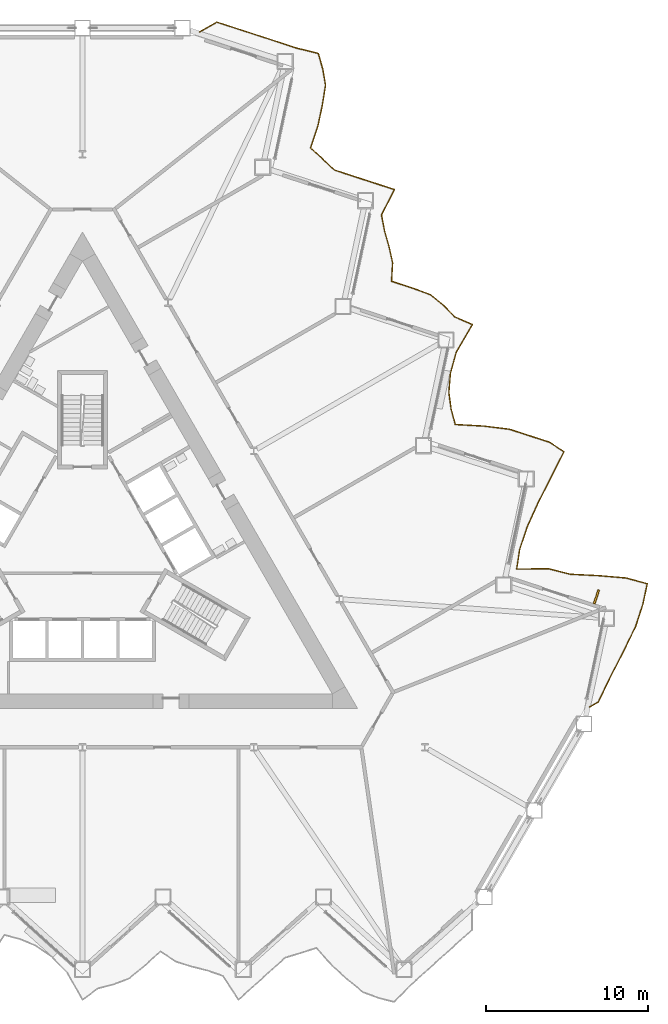
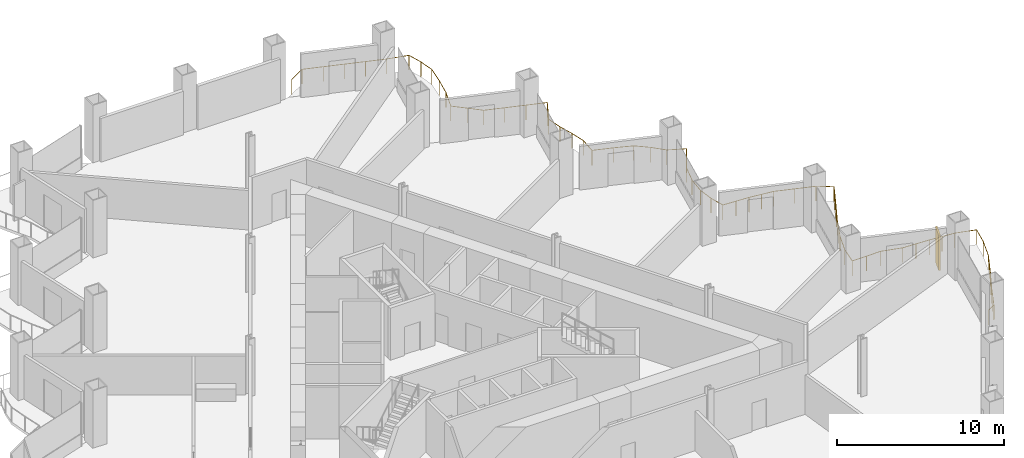
# One storey, part 18 of 20: 1 railing, 1 shading device.
"""IFC4 building model written with IfcOpenShell, lengths in metres."""

import ifcopenshell
import ifcopenshell.guid

model = None  # the IFC model being written
_history = None  # IfcOwnerHistory: only IFC2X3 demands one
_inside = {}  # id of a spatial element -> (the spatial element, [elements in it])
_under = {}  # id of a project, library or spatial element -> (it, [spatial elements below it])
_declared = {}  # id of a project -> (the project, [libraries it declares])
_typed = {}  # id of a type object -> (the type object, [elements of that type])
_made_of = {}  # id of a material, layer set ... -> (it, [elements and type objects made of it])


def new_model(schema):
    """Start an empty IFC model of exactly this schema.

    Asked for "IFC4X3", IfcOpenShell would pick the latest addendum, in which some entities
    have other attributes; the version numbers below select the first issue.
    IFC2X3 requires an IfcOwnerHistory on every rooted entity: one is made here for all.
    """
    global model, _history
    if schema == "IFC4X3":
        model = ifcopenshell.file(schema_version=(4, 3, 0, 0))
    else:
        model = ifcopenshell.file(schema=schema)
    _inside.clear()
    _under.clear()
    _declared.clear()
    _typed.clear()
    _made_of.clear()
    _history = None
    if model.schema == "IFC2X3":
        org = make("IfcOrganization", Name="unknown")
        user = make(
            "IfcPersonAndOrganization",
            ThePerson=make("IfcPerson", FamilyName="unknown"),
            TheOrganization=org,
        )
        app = make(
            "IfcApplication",
            ApplicationDeveloper=org,
            Version="unknown",
            ApplicationFullName="unknown",
            ApplicationIdentifier="unknown",
        )
        _history = make(
            "IfcOwnerHistory",
            OwningUser=user,
            OwningApplication=app,
            ChangeAction="ADDED",
            CreationDate=0,
        )
    return model


def make(cls, **values):
    """One entity of the class cls with the attributes given. An attribute that is None is left unset."""
    return model.create_entity(
        cls, **{name: value for name, value in values.items() if value is not None}
    )


def rooted(cls, **values):
    """An entity with a GlobalId (a new one), such as an element, a storey or a relation."""
    return make(cls, GlobalId=ifcopenshell.guid.new(), OwnerHistory=_history, **values)


def si_unit(unit_type, name, prefix=None):
    """IfcSIUnit, for example si_unit("LENGTHUNIT", "METRE", prefix="MILLI")."""
    return make("IfcSIUnit", UnitType=unit_type, Prefix=prefix, Name=name)


def assignment(units):
    """IfcUnitAssignment: the units of a project."""
    return None if units is None else make("IfcUnitAssignment", Units=units)


def point(xyz):
    """IfcCartesianPoint."""
    return None if xyz is None else make("IfcCartesianPoint", Coordinates=xyz)


def direction(xyz):
    """IfcDirection."""
    return None if xyz is None else make("IfcDirection", DirectionRatios=xyz)


def frame(location, z_axis=None, x_axis=None):
    """IfcAxis2Placement3D, a coordinate frame: its origin and axes. An axis left out is left unset."""
    return make(
        "IfcAxis2Placement3D",
        Location=point(location),
        Axis=direction(z_axis),
        RefDirection=direction(x_axis),
    )


def frame_2d(location, x_axis=None):
    """IfcAxis2Placement2D, a coordinate frame in the plane: its origin and x axis."""
    return make(
        "IfcAxis2Placement2D", Location=point(location), RefDirection=direction(x_axis)
    )


def origin():
    """The frame at (0, 0, 0) with its axes left unset."""
    return frame((0.0, 0.0, 0.0))


def origin_2d():
    """The frame at (0, 0) in the plane with its x axis left unset."""
    return frame_2d((0.0, 0.0))


def place(relative_to, where):
    """IfcLocalPlacement: puts the frame where relative to a parent placement (None: the world)."""
    return make(
        "IfcLocalPlacement", PlacementRelTo=relative_to, RelativePlacement=where
    )


def context(
    kind, dimensions, precision=None, world=None, true_north=None, identifier=None
):
    """IfcGeometricRepresentationContext, for example the 3D "Model" context."""
    return make(
        "IfcGeometricRepresentationContext",
        ContextIdentifier=identifier,
        ContextType=kind,
        CoordinateSpaceDimension=dimensions,
        Precision=precision,
        WorldCoordinateSystem=world,
        TrueNorth=true_north,
    )


def subcontext(parent, identifier, kind, view, scale=None):
    """IfcGeometricRepresentationSubContext, for example "Body" below "Model"."""
    return make(
        "IfcGeometricRepresentationSubContext",
        ContextIdentifier=identifier,
        ContextType=kind,
        ParentContext=parent,
        TargetScale=scale,
        TargetView=view,
    )


def project(units=None, contexts=None):
    """IfcProject with its units and contexts."""
    return rooted(
        "IfcProject",
        Name="project",
        RepresentationContexts=contexts,
        UnitsInContext=assignment(units),
    )


def spatial(cls, under=None, at=None, **own):
    """A site, building, storey or space (cls), placed at a placement, below another one or the project."""
    s = rooted(cls, ObjectPlacement=at, **own)
    if under is not None:
        _under.setdefault(under.id(), (under, []))[1].append(s)
    return s


def profile(cls, at=None, kind="AREA", **sizes):
    """A parametric profile (cls). Its sizes go by their IFC names, for example OverallWidth=200.0."""
    return make(cls, ProfileType=kind, Position=at, **sizes)


def rectangle(**sizes):
    """IfcRectangleProfileDef."""
    return profile("IfcRectangleProfileDef", **sizes)


def circle(**sizes):
    """IfcCircleProfileDef."""
    return profile("IfcCircleProfileDef", **sizes)


def extrude(swept, where, along, depth):
    """IfcExtrudedAreaSolid: the profile swept, set in the frame where, extruded along a direction by depth."""
    return make(
        "IfcExtrudedAreaSolid",
        SweptArea=swept,
        Position=where,
        ExtrudedDirection=direction(along),
        Depth=depth,
    )


def shape(context_of_items, identifier, shape_type, items):
    """IfcShapeRepresentation: the items that make up one representation, for example the "Body"."""
    return make(
        "IfcShapeRepresentation",
        ContextOfItems=context_of_items,
        RepresentationIdentifier=identifier,
        RepresentationType=shape_type,
        Items=items,
    )


def material(Name=None, Category=None):
    """IfcMaterial."""
    return make("IfcMaterial", Name=Name, Category=Category)


def layer(
    of_material, thickness, ventilated=None, Name=None, Category=None, Priority=None
):
    """IfcMaterialLayer: one layer of a wall or slab, of a material (None: an air gap)."""
    return make(
        "IfcMaterialLayer",
        Material=of_material,
        LayerThickness=thickness,
        IsVentilated=ventilated,
        Name=Name,
        Category=Category,
        Priority=Priority,
    )


def layer_set(layers, Name=None):
    """IfcMaterialLayerSet."""
    return make("IfcMaterialLayerSet", MaterialLayers=layers, LayerSetName=Name)


def made_of(thing, what):
    """Note that an element or type object is made of a material, layer set ...; save() writes the relation."""
    if what is not None:
        _made_of.setdefault(what.id(), (what, []))[1].append(thing)
    return thing


def type_object(cls, material=None, **own):
    """A type object (cls), such as IfcWallType, which elements share."""
    return made_of(rooted(cls, **own), material)


def element(
    cls,
    number,
    at=None,
    inside=None,
    cuts=None,
    type_object=None,
    material=None,
    context=None,
    identifier="Body",
    shape_type=None,
    held_by="IfcProductDefinitionShape",
    body=None,
    shapes=None,
    **own,
):
    """One element of the class cls, such as IfcWall. Its Tag is "e" and its number.

    at: its placement. inside: the storey or other place that contains it. cuts: it is an
    opening in that element (IfcRelVoidsElement). A single representation is given by context,
    identifier, shape_type and body (its items); several are given by shapes. held_by: the class
    of the entity that holds the representations. save() writes the other relations.
    """
    e = rooted(cls, Tag="e%d" % number, ObjectPlacement=at, **own)
    if body is not None:
        shapes = [shape(context, identifier, shape_type, body)]
    if shapes is not None:
        e.Representation = make(held_by, Representations=shapes)
    if inside is not None:
        _inside.setdefault(inside.id(), (inside, []))[1].append(e)
    if cuts is not None:
        rooted(
            "IfcRelVoidsElement", RelatingBuildingElement=cuts, RelatedOpeningElement=e
        )
    if type_object is not None:
        _typed.setdefault(type_object.id(), (type_object, []))[1].append(e)
    return made_of(e, material)


def aggregate(whole, parts):
    """IfcRelAggregates: a whole, such as a stair, and the parts it consists of."""
    return rooted("IfcRelAggregates", RelatingObject=whole, RelatedObjects=parts)


def save(model, path):
    """Write the relations noted so far, then the file.

    IfcRelAggregates (storeys below a building ...), IfcRelContainedInSpatialStructure (elements
    in a storey), IfcRelDefinesByType, IfcRelAssociatesMaterial and IfcRelDeclares: one each for
    every whole, place, type object, material and project.
    """
    for whole, parts in _under.values():
        aggregate(whole, parts)
    for where, things in _inside.values():
        rooted(
            "IfcRelContainedInSpatialStructure",
            RelatedElements=things,
            RelatingStructure=where,
        )
    for kind, things in _typed.values():
        rooted("IfcRelDefinesByType", RelatedObjects=things, RelatingType=kind)
    for what, things in _made_of.values():
        rooted("IfcRelAssociatesMaterial", RelatedObjects=things, RelatingMaterial=what)
    for by, libraries in _declared.values():
        rooted("IfcRelDeclares", RelatingContext=by, RelatedDefinitions=libraries)
    model.write(path)


model = new_model("IFC4")

# Units and contexts
model_context = context("Model", 3, precision=1e-05, world=origin(), true_north=direction((0.0, 1.0)))
body_context = subcontext(model_context, "Body", "Model", "MODEL_VIEW")
ifc_project = project(units=[si_unit("LENGTHUNIT", "METRE"), si_unit("AREAUNIT", "SQUARE_METRE"), si_unit("VOLUMEUNIT", "CUBIC_METRE"), si_unit("PLANEANGLEUNIT", "RADIAN"), si_unit("MASSUNIT", "GRAM", prefix="KILO")], contexts=[model_context])

# Site, building, storey
site_placement = place(None, origin())
site = spatial("IfcSite", under=ifc_project, at=site_placement, CompositionType="ELEMENT")
building_placement = place(site_placement, origin())
building = spatial("IfcBuilding", under=site, at=building_placement, Name="Cormorant Prow Tower", CompositionType="ELEMENT")
storey_placement = place(building_placement, frame((0.0, 0.0, 34.199951171875)))
storey = spatial("IfcBuildingStorey", under=building, at=storey_placement, Name="L06", CompositionType="ELEMENT", Elevation=34.199951171875)

# Railing
ifc_material_1 = material(Name="Aluminium 6063-T6", Category="aluminium")
railing_type = type_object("IfcRailingType", Name="Balcony guard 1100", PredefinedType="GUARDRAIL", material=ifc_material_1)
railing_placement = place(storey_placement, frame((31.3291015625, -9.726318359375, 0.0)))
element("IfcRailing", 1, at=railing_placement, inside=storey, type_object=railing_type, Name="Balcony guard ENE", PredefinedType="GUARDRAIL", context=body_context, shape_type="SweptSolid", body=[
    extrude(circle(Radius=0.02392578125, at=origin_2d()), frame((0.0, 0.0, 1.076171875), z_axis=(0.865942655036, 0.500143297656, 0.0), x_axis=(-0.500143297656, 0.865942655036, 0.0)), (0.0, 0.0, 1.0), 0.635986328125),
    extrude(circle(Radius=0.02392578125, at=origin_2d()), frame((0.55078125, 0.318115234375, 1.076171875), z_axis=(0.433209595953, 0.901293207549, 0.0), x_axis=(-0.901293207549, 0.433209595953, 0.0)), (0.0, 0.0, 1.0), 1.708251953125),
    extrude(circle(Radius=0.02392578125, at=origin_2d()), frame((1.290771484375, 1.857666015625, 1.076171875), z_axis=(0.457496743502, 0.889211296422, 0.0), x_axis=(-0.889211296422, 0.457496743502, 0.0)), (0.0, 0.0, 1.0), 1.7802734375),
    extrude(circle(Radius=0.02392578125, at=origin_2d()), frame((2.105224609375, 3.440673828125, 1.076171875), z_axis=(0.437074654476, 0.899425231142, 0.0), x_axis=(-0.899425231142, 0.437074654476, 0.0)), (0.0, 0.0, 1.0), 1.71923828125),
    extrude(circle(Radius=0.02392578125, at=origin_2d()), frame((2.856689453125, 4.987060546875, 1.076171875), z_axis=(0.310176960203, 0.950678838178, 0.0), x_axis=(-0.950678838178, 0.310176960203, 0.0)), (0.0, 0.0, 1.0), 1.44189453125),
    extrude(circle(Radius=0.02392578125, at=origin_2d()), frame((3.303955078125, 6.35791015625, 1.076171875), z_axis=(0.207908306761, 0.978148320031, 0.0), x_axis=(-0.978148320031, 0.207908306761, 0.0)), (0.0, 0.0, 1.0), 1.29638671875),
    extrude(circle(Radius=0.02392578125, at=origin_2d()), frame((3.573486328125, 7.6259765625, 1.076171875), z_axis=(-0.965501304987, 0.260398214412, 0.0), x_axis=(-0.260398214412, -0.965501304987, 0.0)), (0.0, 0.0, 1.0), 1.3603515625),
    extrude(circle(Radius=0.02392578125, at=origin_2d()), frame((2.260009765625, 7.980224609375, 1.076171875), z_axis=(-0.996333593966, 0.085553313992, 0.0), x_axis=(-0.085553313992, -0.996333593966, 0.0)), (0.0, 0.0, 1.0), 1.68359375),
    extrude(circle(Radius=0.02392578125, at=origin_2d()), frame((0.58251953125, 8.124267578125, 1.076171875), z_axis=(-0.998783316969, 0.049314153595, 0.0), x_axis=(-0.049314153595, -0.998783316969, 0.0)), (0.0, 0.0, 1.0), 1.77734375),
    extrude(circle(Radius=0.02392578125, at=origin_2d()), frame((-1.192626953125, 8.2119140625, 1.076171875), z_axis=(-0.968762138829, 0.247991770774, 0.0), x_axis=(-0.247991770774, -0.968762138829, 0.0)), (0.0, 0.0, 1.0), 1.378173828125),
    extrude(circle(Radius=0.02392578125, at=origin_2d()), frame((-2.52783203125, 8.5537109375, 1.076171875), z_axis=(-0.999927590389, -0.012033868023, 0.0), x_axis=(0.012033868023, -0.999927590389, 0.0)), (0.0, 0.0, 1.0), 1.968017578125),
    extrude(circle(Radius=0.02392578125, at=origin_2d()), frame((-4.49560546875, 8.530029296875, 1.076171875), z_axis=(0.151433219563, 0.98846749062, 0.0), x_axis=(-0.98846749062, 0.151433219563, 0.0)), (0.0, 0.0, 1.0), 1.23486328125),
    extrude(circle(Radius=0.02392578125, at=origin_2d()), frame((-4.30859375, 9.750732421875, 1.076171875), z_axis=(0.316832472122, 0.948481515165, 0.0), x_axis=(-0.948481515165, 0.316832472122, 0.0)), (0.0, 0.0, 1.0), 1.453369140625),
    extrude(circle(Radius=0.02392578125, at=origin_2d()), frame((-3.84814453125, 11.129150390625, 1.076171875), z_axis=(0.413591935436, 0.910462361079, 0.0), x_axis=(-0.910462361079, 0.413591935436, 0.0)), (0.0, 0.0, 1.0), 1.65625),
    extrude(circle(Radius=0.02392578125, at=origin_2d()), frame((-3.1630859375, 12.63720703125, 1.076171875), z_axis=(0.454425676399, 0.89078465671, 0.0), x_axis=(-0.89078465671, 0.454425676399, 0.0)), (0.0, 0.0, 1.0), 1.770263671875),
    extrude(circle(Radius=0.02392578125, at=origin_2d()), frame((-2.358642578125, 14.214111328125, 1.076171875), z_axis=(0.449160567011, 0.893451053524, 0.0), x_axis=(-0.893451053524, 0.449160567011, 0.0)), (0.0, 0.0, 1.0), 1.754638671875),
    extrude(circle(Radius=0.02392578125, at=origin_2d()), frame((-1.570556640625, 15.78173828125, 1.076171875), z_axis=(-0.838490048376, 0.544916909973, 0.0), x_axis=(-0.544916909973, -0.838490048376, 0.0)), (0.0, 0.0, 1.0), 1.0810546875),
    extrude(circle(Radius=0.02392578125, at=origin_2d()), frame((-2.47705078125, 16.370849609375, 1.076171875), z_axis=(-0.951065889289, 0.308988145778, 0.0), x_axis=(-0.308988145778, -0.951065889289, 0.0)), (0.0, 0.0, 1.0), 1.296630859375),
    extrude(circle(Radius=0.02392578125, at=origin_2d()), frame((-3.710205078125, 16.771484375, 1.076171875), z_axis=(-0.951065889289, 0.308988145778, 0.0), x_axis=(-0.308988145778, -0.951065889289, 0.0)), (0.0, 0.0, 1.0), 1.296630859375),
    extrude(circle(Radius=0.02392578125, at=origin_2d()), frame((-4.943359375, 17.172119140625, 1.076171875), z_axis=(-0.992549927024, 0.121838591441, 0.0), x_axis=(-0.121838591441, -0.992549927024, 0.0)), (0.0, 0.0, 1.0), 1.60107421875),
    extrude(circle(Radius=0.02392578125, at=origin_2d()), frame((-6.532470703125, 17.3671875, 1.076171875), z_axis=(-0.998435492424, 0.055915717544, 0.0), x_axis=(-0.055915717544, -0.998435492424, 0.0)), (0.0, 0.0, 1.0), 1.759521484375),
    extrude(circle(Radius=0.02392578125, at=origin_2d()), frame((-8.289306640625, 17.465576171875, 1.076171875), z_axis=(-0.262433124838, 0.964950182646, 0.0), x_axis=(-0.964950182646, -0.262433124838, 0.0)), (0.0, 0.0, 1.0), 0.996337890625),
    extrude(circle(Radius=0.02392578125, at=origin_2d()), frame((-8.55078125, 18.427001953125, 1.076171875), z_axis=(-0.128899126816, 0.991657710657, 0.0), x_axis=(-0.991657710657, -0.128899126816, 0.0)), (0.0, 0.0, 1.0), 1.043701171875),
    extrude(circle(Radius=0.02392578125, at=origin_2d()), frame((-8.685302734375, 19.4619140625, 1.076171875), z_axis=(0.081476069747, 0.996675298208, 0.0), x_axis=(-0.996675298208, 0.081476069747, 0.0)), (0.0, 0.0, 1.0), 1.171630859375),
    extrude(circle(Radius=0.02392578125, at=origin_2d()), frame((-8.58984375, 20.629638671875, 1.076171875), z_axis=(0.268247725454, 0.963349966413, 0.0), x_axis=(-0.963349966413, 0.268247725454, 0.0)), (0.0, 0.0, 1.0), 1.376220703125),
    extrude(circle(Radius=0.02392578125, at=origin_2d()), frame((-8.220703125, 21.955322265625, 1.076171875), z_axis=(0.506774332151, 0.862078752941, 0.0), x_axis=(-0.862078752941, 0.506774332151, 0.0)), (0.0, 0.0, 1.0), 1.95361328125),
    extrude(circle(Radius=0.02392578125, at=origin_2d()), frame((-7.230712890625, 23.639404296875, 1.076171875), z_axis=(-0.916143288756, 0.400850937966, 0.0), x_axis=(-0.400850937966, -0.916143288756, 0.0)), (0.0, 0.0, 1.0), 1.19677734375),
    extrude(circle(Radius=0.02392578125, at=origin_2d()), frame((-8.3271484375, 24.119140625, 1.076171875), z_axis=(-0.697460687647, 0.716623045392, 0.0), x_axis=(-0.716623045392, -0.697460687647, 0.0)), (0.0, 0.0, 1.0), 0.99365234375),
    extrude(circle(Radius=0.02392578125, at=origin_2d()), frame((-9.020263671875, 24.831298828125, 1.076171875), z_axis=(-0.775106115273, 0.631831077161, 0.0), x_axis=(-0.631831077161, -0.775106115273, 0.0)), (0.0, 0.0, 1.0), 1.031005859375),
    extrude(circle(Radius=0.02392578125, at=origin_2d()), frame((-9.8193359375, 25.482666015625, 1.076171875), z_axis=(-0.937866283628, 0.346996878998, 0.0), x_axis=(-0.346996878998, -0.937866283628, 0.0)), (0.0, 0.0, 1.0), 1.25244140625),
    extrude(circle(Radius=0.02392578125, at=origin_2d()), frame((-10.993896484375, 25.917236328125, 1.076171875), z_axis=(-0.95112121044, 0.308817815308, 0.0), x_axis=(-0.308817815308, -0.95112121044, 0.0)), (0.0, 0.0, 1.0), 1.296630859375),
    extrude(circle(Radius=0.02392578125, at=origin_2d()), frame((-12.22705078125, 26.317626953125, 1.076171875), z_axis=(0.056983430599, 0.998375124208, 0.0), x_axis=(-0.998375124208, 0.056983430599, 0.0)), (0.0, 0.0, 1.0), 1.152587890625),
    extrude(circle(Radius=0.02392578125, at=origin_2d()), frame((-12.161376953125, 27.46826171875, 1.076171875), z_axis=(-0.217877711911, 0.975976076885, 0.0), x_axis=(-0.975976076885, -0.217877711911, 0.0)), (0.0, 0.0, 1.0), 1.009521484375),
    extrude(circle(Radius=0.02392578125, at=origin_2d()), frame((-12.38134765625, 28.45361328125, 1.076171875), z_axis=(-0.276863799275, 0.960909171905, 0.0), x_axis=(-0.960909171905, -0.276863799275, 0.0)), (0.0, 0.0, 1.0), 0.992919921875),
    extrude(circle(Radius=0.02392578125, at=origin_2d()), frame((-12.65625, 29.40771484375, 1.076171875), z_axis=(-0.187870877698, 0.982193735122, 0.0), x_axis=(-0.982193735122, -0.187870877698, 0.0)), (0.0, 0.0, 1.0), 1.02001953125),
    extrude(circle(Radius=0.02392578125, at=origin_2d()), frame((-12.847900390625, 30.40966796875, 1.076171875), z_axis=(0.452902099451, 0.89156025501, 0.0), x_axis=(-0.89156025501, 0.452902099451, 0.0)), (0.0, 0.0, 1.0), 1.765380859375),
    extrude(circle(Radius=0.02392578125, at=origin_2d()), frame((-12.04833984375, 31.983642578125, 1.076171875), z_axis=(-0.951010544077, 0.30915844652, 0.0), x_axis=(-0.30915844652, -0.951010544077, 0.0)), (0.0, 0.0, 1.0), 1.296630859375),
    extrude(circle(Radius=0.02392578125, at=origin_2d()), frame((-13.281494140625, 32.384521484375, 1.076171875), z_axis=(-0.951103247398, 0.308873133809, 0.0), x_axis=(-0.308873133809, -0.951103247398, 0.0)), (0.0, 0.0, 1.0), 1.29638671875),
    extrude(circle(Radius=0.02392578125, at=origin_2d()), frame((-14.514404296875, 32.784912109375, 1.076171875), z_axis=(-0.951010544077, 0.30915844652, 0.0), x_axis=(-0.30915844652, -0.951010544077, 0.0)), (0.0, 0.0, 1.0), 1.296630859375),
    extrude(circle(Radius=0.02392578125, at=origin_2d()), frame((-15.74755859375, 33.185791015625, 1.076171875), z_axis=(-0.730119203744, 0.683319799452, 0.0), x_axis=(-0.683319799452, -0.730119203744, 0.0)), (0.0, 0.0, 1.0), 1.0068359375),
    extrude(circle(Radius=0.02392578125, at=origin_2d()), frame((-16.482666015625, 33.873779296875, 1.076171875), z_axis=(-0.739972834684, 0.672636754816, 0.0), x_axis=(-0.672636754816, -0.739972834684, 0.0)), (0.0, 0.0, 1.0), 1.011474609375),
    extrude(circle(Radius=0.02392578125, at=origin_2d()), frame((-17.231201171875, 34.55419921875, 1.076171875), z_axis=(0.31476220365, 0.949170561676, 0.0), x_axis=(-0.949170561676, 0.31476220365, 0.0)), (0.0, 0.0, 1.0), 1.44970703125),
    extrude(circle(Radius=0.02392578125, at=origin_2d()), frame((-16.77490234375, 35.93017578125, 1.076171875), z_axis=(0.20787001537, 0.978156458196, 0.0), x_axis=(-0.978156458196, 0.20787001537, 0.0)), (0.0, 0.0, 1.0), 1.296630859375),
    extrude(circle(Radius=0.02392578125, at=origin_2d()), frame((-16.50537109375, 37.198486328125, 1.076171875), z_axis=(0.15846589951, 0.987364450794, 0.0), x_axis=(-0.987364450794, 0.15846589951, 0.0)), (0.0, 0.0, 1.0), 1.24169921875),
    extrude(circle(Radius=0.02392578125, at=origin_2d()), frame((-16.30859375, 38.424560546875, 1.076171875), z_axis=(-0.166709127077, 0.986006119124, 0.0), x_axis=(-0.986006119124, -0.166709127077, 0.0)), (0.0, 0.0, 1.0), 1.028076171875),
    extrude(circle(Radius=0.02392578125, at=origin_2d()), frame((-16.47998046875, 39.438232421875, 1.076171875), z_axis=(-0.27351998335, 0.961866320602, 0.0), x_axis=(-0.961866320602, -0.27351998335, 0.0)), (0.0, 0.0, 1.0), 0.993408203125),
    extrude(circle(Radius=0.02392578125, at=origin_2d()), frame((-16.751708984375, 40.393798828125, 1.076171875), z_axis=(-0.970493235257, 0.241128348231, 0.0), x_axis=(-0.241128348231, -0.970493235257, 0.0)), (0.0, 0.0, 1.0), 1.38818359375),
    extrude(circle(Radius=0.02392578125, at=origin_2d()), frame((-18.098876953125, 40.728515625, 1.076171875), z_axis=(-0.951010544077, 0.30915844652, 0.0), x_axis=(-0.30915844652, -0.951010544077, 0.0)), (0.0, 0.0, 1.0), 1.296630859375),
    extrude(circle(Radius=0.02392578125, at=origin_2d()), frame((-19.33203125, 41.12939453125, 1.076171875), z_axis=(-0.951065889289, 0.308988145778, 0.0), x_axis=(-0.308988145778, -0.951065889289, 0.0)), (0.0, 0.0, 1.0), 1.296630859375),
    extrude(circle(Radius=0.02392578125, at=origin_2d()), frame((-20.565185546875, 41.530029296875, 1.076171875), z_axis=(-0.951047907473, 0.309043488349, 0.0), x_axis=(-0.309043488349, -0.951047907473, 0.0)), (0.0, 0.0, 1.0), 1.29638671875),
    extrude(circle(Radius=0.02392578125, at=origin_2d()), frame((-21.798095703125, 41.9306640625, 1.076171875), z_axis=(-0.951065889289, 0.308988145778, 0.0), x_axis=(-0.308988145778, -0.951065889289, 0.0)), (0.0, 0.0, 1.0), 1.296630859375),
    extrude(circle(Radius=0.02392578125, at=origin_2d()), frame((-23.03125, 42.331298828125, 1.076171875), z_axis=(-0.866005645448, -0.500034220881, 0.0), x_axis=(0.500034220881, -0.866005645448, 0.0)), (0.0, 0.0, 1.0), 1.22021484375),
    extrude(circle(Radius=0.02099609375, at=origin_2d()), origin(), (0.0, 0.0, 1.0), 1.052001953125),
    extrude(circle(Radius=0.02099609375, at=origin_2d()), frame((0.55078125, 0.318115234375, 0.0)), (0.0, 0.0, 1.0), 1.052001953125),
    extrude(circle(Radius=0.02099609375, at=origin_2d()), frame((0.9208984375, 1.087890625, 0.0)), (0.0, 0.0, 1.0), 1.052001953125),
    extrude(circle(Radius=0.02099609375, at=origin_2d()), frame((1.290771484375, 1.857666015625, 0.0)), (0.0, 0.0, 1.0), 1.052001953125),
    extrude(circle(Radius=0.02099609375, at=origin_2d()), frame((1.697998046875, 2.649169921875, 0.0)), (0.0, 0.0, 1.0), 1.052001953125),
    extrude(circle(Radius=0.02099609375, at=origin_2d()), frame((2.105224609375, 3.440673828125, 0.0)), (0.0, 0.0, 1.0), 1.052001953125),
    extrude(circle(Radius=0.02099609375, at=origin_2d()), frame((2.48095703125, 4.2138671875, 0.0)), (0.0, 0.0, 1.0), 1.052001953125),
    extrude(circle(Radius=0.02099609375, at=origin_2d()), frame((2.856689453125, 4.987060546875, 0.0)), (0.0, 0.0, 1.0), 1.052001953125),
    extrude(circle(Radius=0.02099609375, at=origin_2d()), frame((3.303955078125, 6.35791015625, 0.0)), (0.0, 0.0, 1.0), 1.052001953125),
    extrude(circle(Radius=0.02099609375, at=origin_2d()), frame((3.573486328125, 7.6259765625, 0.0)), (0.0, 0.0, 1.0), 1.052001953125),
    extrude(circle(Radius=0.02099609375, at=origin_2d()), frame((2.260009765625, 7.980224609375, 0.0)), (0.0, 0.0, 1.0), 1.052001953125),
    extrude(circle(Radius=0.02099609375, at=origin_2d()), frame((1.42138671875, 8.05224609375, 0.0)), (0.0, 0.0, 1.0), 1.052001953125),
    extrude(circle(Radius=0.02099609375, at=origin_2d()), frame((0.58251953125, 8.124267578125, 0.0)), (0.0, 0.0, 1.0), 1.052001953125),
    extrude(circle(Radius=0.02099609375, at=origin_2d()), frame((-0.30517578125, 8.16796875, 0.0)), (0.0, 0.0, 1.0), 1.052001953125),
    extrude(circle(Radius=0.02099609375, at=origin_2d()), frame((-1.192626953125, 8.2119140625, 0.0)), (0.0, 0.0, 1.0), 1.052001953125),
    extrude(circle(Radius=0.02099609375, at=origin_2d()), frame((-2.52783203125, 8.5537109375, 0.0)), (0.0, 0.0, 1.0), 1.052001953125),
    extrude(circle(Radius=0.02099609375, at=origin_2d()), frame((-3.51171875, 8.5419921875, 0.0)), (0.0, 0.0, 1.0), 1.052001953125),
    extrude(circle(Radius=0.02099609375, at=origin_2d()), frame((-4.49560546875, 8.530029296875, 0.0)), (0.0, 0.0, 1.0), 1.052001953125),
    extrude(circle(Radius=0.02099609375, at=origin_2d()), frame((-4.30859375, 9.750732421875, 0.0)), (0.0, 0.0, 1.0), 1.052001953125),
    extrude(circle(Radius=0.02099609375, at=origin_2d()), frame((-3.84814453125, 11.129150390625, 0.0)), (0.0, 0.0, 1.0), 1.052001953125),
    extrude(circle(Radius=0.02099609375, at=origin_2d()), frame((-3.505615234375, 11.88330078125, 0.0)), (0.0, 0.0, 1.0), 1.052001953125),
    extrude(circle(Radius=0.02099609375, at=origin_2d()), frame((-3.1630859375, 12.63720703125, 0.0)), (0.0, 0.0, 1.0), 1.052001953125),
    extrude(circle(Radius=0.02099609375, at=origin_2d()), frame((-2.7607421875, 13.42578125, 0.0)), (0.0, 0.0, 1.0), 1.052001953125),
    extrude(circle(Radius=0.02099609375, at=origin_2d()), frame((-2.358642578125, 14.214111328125, 0.0)), (0.0, 0.0, 1.0), 1.052001953125),
    extrude(circle(Radius=0.02099609375, at=origin_2d()), frame((-1.964599609375, 14.998046875, 0.0)), (0.0, 0.0, 1.0), 1.052001953125),
    extrude(circle(Radius=0.02099609375, at=origin_2d()), frame((-1.570556640625, 15.78173828125, 0.0)), (0.0, 0.0, 1.0), 1.052001953125),
    extrude(circle(Radius=0.02099609375, at=origin_2d()), frame((-2.47705078125, 16.370849609375, 0.0)), (0.0, 0.0, 1.0), 1.052001953125),
    extrude(circle(Radius=0.02099609375, at=origin_2d()), frame((-3.710205078125, 16.771484375, 0.0)), (0.0, 0.0, 1.0), 1.052001953125),
    extrude(circle(Radius=0.02099609375, at=origin_2d()), frame((-4.943359375, 17.172119140625, 0.0)), (0.0, 0.0, 1.0), 1.052001953125),
    extrude(circle(Radius=0.02099609375, at=origin_2d()), frame((-5.73779296875, 17.26953125, 0.0)), (0.0, 0.0, 1.0), 1.052001953125),
    extrude(circle(Radius=0.02099609375, at=origin_2d()), frame((-6.532470703125, 17.3671875, 0.0)), (0.0, 0.0, 1.0), 1.052001953125),
    extrude(circle(Radius=0.02099609375, at=origin_2d()), frame((-7.410888671875, 17.41650390625, 0.0)), (0.0, 0.0, 1.0), 1.052001953125),
    extrude(circle(Radius=0.02099609375, at=origin_2d()), frame((-8.289306640625, 17.465576171875, 0.0)), (0.0, 0.0, 1.0), 1.052001953125),
    extrude(circle(Radius=0.02099609375, at=origin_2d()), frame((-8.55078125, 18.427001953125, 0.0)), (0.0, 0.0, 1.0), 1.052001953125),
    extrude(circle(Radius=0.02099609375, at=origin_2d()), frame((-8.685302734375, 19.4619140625, 0.0)), (0.0, 0.0, 1.0), 1.052001953125),
    extrude(circle(Radius=0.02099609375, at=origin_2d()), frame((-8.58984375, 20.629638671875, 0.0)), (0.0, 0.0, 1.0), 1.052001953125),
    extrude(circle(Radius=0.02099609375, at=origin_2d()), frame((-8.220703125, 21.955322265625, 0.0)), (0.0, 0.0, 1.0), 1.052001953125),
    extrude(circle(Radius=0.02099609375, at=origin_2d()), frame((-7.7255859375, 22.79736328125, 0.0)), (0.0, 0.0, 1.0), 1.052001953125),
    extrude(circle(Radius=0.02099609375, at=origin_2d()), frame((-7.230712890625, 23.639404296875, 0.0)), (0.0, 0.0, 1.0), 1.052001953125),
    extrude(circle(Radius=0.02099609375, at=origin_2d()), frame((-8.3271484375, 24.119140625, 0.0)), (0.0, 0.0, 1.0), 1.052001953125),
    extrude(circle(Radius=0.02099609375, at=origin_2d()), frame((-9.020263671875, 24.831298828125, 0.0)), (0.0, 0.0, 1.0), 1.052001953125),
    extrude(circle(Radius=0.02099609375, at=origin_2d()), frame((-9.8193359375, 25.482666015625, 0.0)), (0.0, 0.0, 1.0), 1.052001953125),
    extrude(circle(Radius=0.02099609375, at=origin_2d()), frame((-10.993896484375, 25.917236328125, 0.0)), (0.0, 0.0, 1.0), 1.052001953125),
    extrude(circle(Radius=0.02099609375, at=origin_2d()), frame((-12.22705078125, 26.317626953125, 0.0)), (0.0, 0.0, 1.0), 1.052001953125),
    extrude(circle(Radius=0.02099609375, at=origin_2d()), frame((-12.161376953125, 27.46826171875, 0.0)), (0.0, 0.0, 1.0), 1.052001953125),
    extrude(circle(Radius=0.02099609375, at=origin_2d()), frame((-12.38134765625, 28.45361328125, 0.0)), (0.0, 0.0, 1.0), 1.052001953125),
    extrude(circle(Radius=0.02099609375, at=origin_2d()), frame((-12.65625, 29.40771484375, 0.0)), (0.0, 0.0, 1.0), 1.052001953125),
    extrude(circle(Radius=0.02099609375, at=origin_2d()), frame((-12.847900390625, 30.40966796875, 0.0)), (0.0, 0.0, 1.0), 1.052001953125),
    extrude(circle(Radius=0.02099609375, at=origin_2d()), frame((-12.4482421875, 31.19677734375, 0.0)), (0.0, 0.0, 1.0), 1.052001953125),
    extrude(circle(Radius=0.02099609375, at=origin_2d()), frame((-12.04833984375, 31.983642578125, 0.0)), (0.0, 0.0, 1.0), 1.052001953125),
    extrude(circle(Radius=0.02099609375, at=origin_2d()), frame((-13.281494140625, 32.384521484375, 0.0)), (0.0, 0.0, 1.0), 1.052001953125),
    extrude(circle(Radius=0.02099609375, at=origin_2d()), frame((-14.514404296875, 32.784912109375, 0.0)), (0.0, 0.0, 1.0), 1.052001953125),
    extrude(circle(Radius=0.02099609375, at=origin_2d()), frame((-15.74755859375, 33.185791015625, 0.0)), (0.0, 0.0, 1.0), 1.052001953125),
    extrude(circle(Radius=0.02099609375, at=origin_2d()), frame((-16.482666015625, 33.873779296875, 0.0)), (0.0, 0.0, 1.0), 1.052001953125),
    extrude(circle(Radius=0.02099609375, at=origin_2d()), frame((-17.231201171875, 34.55419921875, 0.0)), (0.0, 0.0, 1.0), 1.052001953125),
    extrude(circle(Radius=0.02099609375, at=origin_2d()), frame((-16.77490234375, 35.93017578125, 0.0)), (0.0, 0.0, 1.0), 1.052001953125),
    extrude(circle(Radius=0.02099609375, at=origin_2d()), frame((-16.50537109375, 37.198486328125, 0.0)), (0.0, 0.0, 1.0), 1.052001953125),
    extrude(circle(Radius=0.02099609375, at=origin_2d()), frame((-16.30859375, 38.424560546875, 0.0)), (0.0, 0.0, 1.0), 1.052001953125),
    extrude(circle(Radius=0.02099609375, at=origin_2d()), frame((-16.47998046875, 39.438232421875, 0.0)), (0.0, 0.0, 1.0), 1.052001953125),
    extrude(circle(Radius=0.02099609375, at=origin_2d()), frame((-16.751708984375, 40.393798828125, 0.0)), (0.0, 0.0, 1.0), 1.052001953125),
    extrude(circle(Radius=0.02099609375, at=origin_2d()), frame((-18.098876953125, 40.728515625, 0.0)), (0.0, 0.0, 1.0), 1.052001953125),
    extrude(circle(Radius=0.02099609375, at=origin_2d()), frame((-19.33203125, 41.12939453125, 0.0)), (0.0, 0.0, 1.0), 1.052001953125),
    extrude(circle(Radius=0.02099609375, at=origin_2d()), frame((-20.565185546875, 41.530029296875, 0.0)), (0.0, 0.0, 1.0), 1.052001953125),
    extrude(circle(Radius=0.02099609375, at=origin_2d()), frame((-21.798095703125, 41.9306640625, 0.0)), (0.0, 0.0, 1.0), 1.052001953125),
    extrude(circle(Radius=0.02099609375, at=origin_2d()), frame((-23.03125, 42.331298828125, 0.0)), (0.0, 0.0, 1.0), 1.052001953125),
    extrude(circle(Radius=0.02099609375, at=origin_2d()), frame((-24.087890625, 41.72119140625, 0.0)), (0.0, 0.0, 1.0), 1.052001953125),
])

# Shading device
ifc_material_2 = material(Name="Terracotta", Category="masonry")
ifc_layer = layer(ifc_material_2, 0.1201171875)
ifc_layer_set = layer_set([ifc_layer], Name="Terracotta")
shading_device_type = type_object("IfcShadingDeviceType", Name="Terracotta baguette fin 120x900x2600", PredefinedType="USERDEFINED", material=ifc_layer_set)
shading_device_placement = place(storey_placement, frame((31.76123046875, -2.91162109375, 0.0), z_axis=(0.0, 0.0, 1.0), x_axis=(-0.951056505967, 0.309017026162, 0.0)))
element("IfcShadingDevice", 2, at=shading_device_placement, inside=storey, type_object=shading_device_type, Name="Baguette fin ENE01", ObjectType="BAGUETTE", PredefinedType="USERDEFINED", context=body_context, shape_type="SweptSolid", body=[
    extrude(rectangle(XDim=0.1201171875, YDim=0.89990234375, at=origin_2d()), origin(), (0.0, 0.0, 1.0), 2.60009765625),
])

save(model, "model.ifc")
